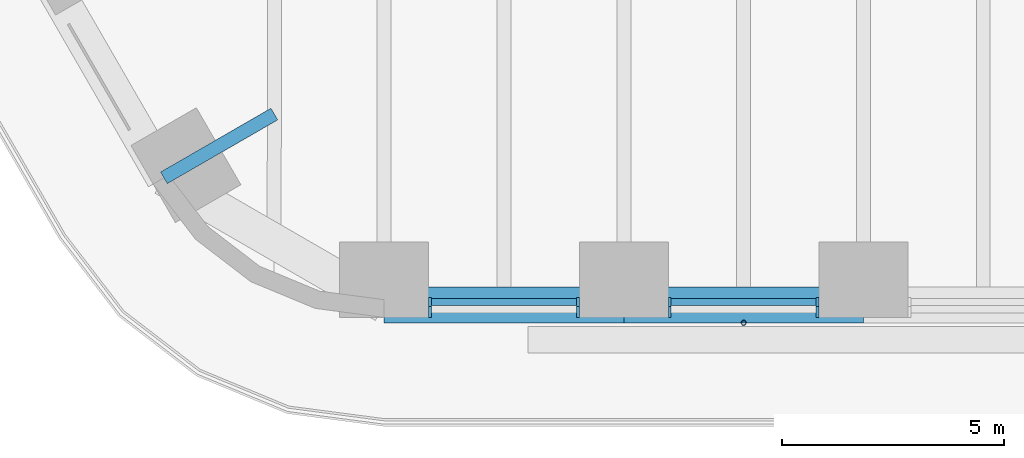
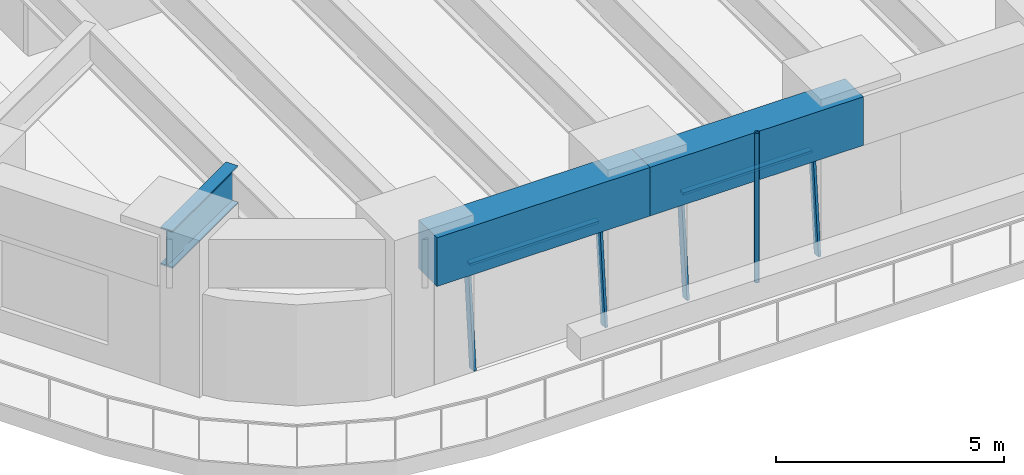
# One storey, part 2 of 24: 7 members, 3 beams, 2 elements without a shape of their own.
"""IFC4 building model written with IfcOpenShell, lengths in metres."""

from ifc_helpers import new_model, si_unit, direction, frame, origin, origin_2d, place, context, subcontext, project, spatial, rectangle, hollow_circle, i_section, extrude, material, material_profile, profile_set, type_object, element, aggregate, save


model = new_model("IFC4")

# Units and contexts
model_context = context("Model", 3, precision=1e-05, world=origin(), true_north=direction((0.0, 1.0)))
body_context = subcontext(model_context, "Body", "Model", "MODEL_VIEW")
ifc_project = project(units=[si_unit("LENGTHUNIT", "METRE"), si_unit("AREAUNIT", "SQUARE_METRE"), si_unit("VOLUMEUNIT", "CUBIC_METRE"), si_unit("PLANEANGLEUNIT", "RADIAN"), si_unit("MASSUNIT", "GRAM", prefix="KILO")], contexts=[model_context])

# Site, building, storey
site_placement = place(None, origin())
site = spatial("IfcSite", under=ifc_project, at=site_placement, CompositionType="ELEMENT")
building_placement = place(site_placement, origin())
building = spatial("IfcBuilding", under=site, at=building_placement, Name="Tarfa Lantern Tower", CompositionType="ELEMENT")
storey_placement = place(building_placement, frame((0.0, 0.0, 73.89990234375)))
storey = spatial("IfcBuildingStorey", under=building, at=storey_placement, Name="L16", CompositionType="ELEMENT", Elevation=73.89990234375)

# Curtain wall, members
ifc_material_1 = material(Name="Aluminium framed curtain wall", Category="aluminium")
curtain_wall_type = type_object("IfcCurtainWallType", Name="CW1 CANTED GLAZING LOW ZONE 2700", PredefinedType="USERDEFINED", material=ifc_material_1)
curtain_wall_1_placement = place(storey_placement, origin())
curtain_wall_1 = element("IfcCurtainWall", 1, at=curtain_wall_1_placement, inside=storey, type_object=curtain_wall_type, Name="CW1 S L16", ObjectType="CURTAIN WALL", PredefinedType="USERDEFINED")
ifc_material_2 = material(Name="Aluminium mullion", Category="aluminium")
ifc_material_profile_1 = material_profile(ifc_material_2, rectangle(XDim=0.06494140625, YDim=0.199951171875, at=origin_2d()), Name="AL MULLION 65x200")
ifc_profile_set_1 = profile_set([ifc_material_profile_1], Name="Aluminium mullion")
member_type_1 = type_object("IfcMemberType", Name="CWM1 MULLION 65x200", PredefinedType="MULLION", material=ifc_profile_set_1)
member_1_placement = place(storey_placement, frame((-15.13330078125, -33.89990234375, 0.0), z_axis=(0.0, 0.092191598296, 0.995741286281), x_axis=(-1.0, 0.0, 0.0)))
member_1 = element("IfcMember", 2, at=member_1_placement, type_object=member_type_1, Name="CW1 mullion 1", PredefinedType="MULLION", context=body_context, shape_type="SweptSolid", body=[
    extrude(rectangle(XDim=0.06494140625, YDim=0.199951171875, at=origin_2d()), origin(), (0.0, 0.0, 1.0), 2.711669921875),
])
member_2_placement = place(storey_placement, frame((-11.809814453125, -33.89990234375, 0.0), z_axis=(0.0, 0.092191598296, 0.995741286281), x_axis=(-1.0, 0.0, 0.0)))
member_2 = element("IfcMember", 3, at=member_2_placement, type_object=member_type_1, Name="CW1 mullion 2", PredefinedType="MULLION", context=body_context, shape_type="SweptSolid", body=[
    extrude(rectangle(XDim=0.06494140625, YDim=0.199951171875, at=origin_2d()), origin(), (0.0, 0.0, 1.0), 2.711669921875),
])

curtain_wall_2_placement = place(storey_placement, origin())
curtain_wall_2 = element("IfcCurtainWall", 4, at=curtain_wall_2_placement, inside=storey, type_object=curtain_wall_type, Name="CW1 S L16", ObjectType="CURTAIN WALL", PredefinedType="USERDEFINED")
member_3_placement = place(storey_placement, frame((-9.74462890625, -33.89990234375, 0.0), z_axis=(0.0, 0.092191598296, 0.995741286281), x_axis=(-1.0, 0.0, 0.0)))
member_3 = element("IfcMember", 5, at=member_3_placement, type_object=member_type_1, Name="CW1 mullion 1", PredefinedType="MULLION", context=body_context, shape_type="SweptSolid", body=[
    extrude(rectangle(XDim=0.06494140625, YDim=0.199951171875, at=origin_2d()), origin(), (0.0, 0.0, 1.0), 2.711669921875),
])
member_4_placement = place(storey_placement, frame((-6.421142578125, -33.89990234375, 0.0), z_axis=(0.0, 0.092191598296, 0.995741286281), x_axis=(-1.0, 0.0, 0.0)))
member_4 = element("IfcMember", 6, at=member_4_placement, type_object=member_type_1, Name="CW1 mullion 2", PredefinedType="MULLION", context=body_context, shape_type="SweptSolid", body=[
    extrude(rectangle(XDim=0.06494140625, YDim=0.199951171875, at=origin_2d()), origin(), (0.0, 0.0, 1.0), 2.711669921875),
])

# Member
ifc_material_3 = material(Name="Aluminium transom", Category="aluminium")
ifc_material_profile_2 = material_profile(ifc_material_3, rectangle(XDim=0.14990234375, YDim=0.06494140625, at=origin_2d()), Name="AL TRANSOM 150x65")
ifc_profile_set_2 = profile_set([ifc_material_profile_2], Name="Aluminium transom")
member_type_2 = type_object("IfcMemberType", Name="CWT1 TRANSOM 150x65", PredefinedType="USERDEFINED", material=ifc_profile_set_2)
member_5_placement = place(storey_placement, frame((-15.100830078125, -33.653076171875, 2.66748046875), z_axis=(1.0, 0.0, 0.0), x_axis=(0.0, 1.0, 0.0)))
member_5 = element("IfcMember", 7, at=member_5_placement, type_object=member_type_2, Name="CW1 transom 1.2", ObjectType="TRANSOM", PredefinedType="USERDEFINED", context=body_context, shape_type="SweptSolid", body=[
    extrude(rectangle(XDim=0.14990234375, YDim=0.06494140625, at=origin_2d()), origin(), (0.0, 0.0, 1.0), 3.258544921875),
])

aggregate(curtain_wall_1, [member_1, member_2, member_5])

member_6_placement = place(storey_placement, frame((-9.712158203125, -33.653076171875, 2.66748046875), z_axis=(1.0, 0.0, 0.0), x_axis=(0.0, 1.0, 0.0)))
member_6 = element("IfcMember", 8, at=member_6_placement, type_object=member_type_2, Name="CW1 transom 1.2", ObjectType="TRANSOM", PredefinedType="USERDEFINED", context=body_context, shape_type="SweptSolid", body=[
    extrude(rectangle(XDim=0.14990234375, YDim=0.06494140625, at=origin_2d()), origin(), (0.0, 0.0, 1.0), 3.258544921875),
])

aggregate(curtain_wall_2, [member_3, member_4, member_6])

# Beams
ifc_material_4 = material(Name="Concrete C80/95", Category="concrete")
ifc_material_profile_3 = material_profile(ifc_material_4, rectangle(XDim=0.800048828125, YDim=1.300048828125, at=origin_2d()), Name="RC 800x1300")
ifc_profile_set_3 = profile_set([ifc_material_profile_3], Name="Concrete C80/95")
beam_type_1 = type_object("IfcBeamType", Name="EB1 RC 800x1300", PredefinedType="SPANDREL", material=ifc_profile_set_3)
beam_1_placement = place(storey_placement, frame((-16.165771484375, -33.719970703125, 3.35009765625), z_axis=(1.0, 0.0, 0.0), x_axis=(0.0, 1.0, 0.0)))
element("IfcBeam", 9, at=beam_1_placement, inside=storey, type_object=beam_type_1, Name="Edge beam S0", PredefinedType="SPANDREL", context=body_context, shape_type="SweptSolid", body=[
    extrude(rectangle(XDim=0.800048828125, YDim=1.300048828125, at=origin_2d()), origin(), (0.0, 0.0, 1.0), 5.388671875),
])
beam_2_placement = place(storey_placement, frame((-10.777099609375, -33.719970703125, 3.35009765625), z_axis=(1.0, 0.0, 0.0), x_axis=(0.0, 1.0, 0.0)))
element("IfcBeam", 10, at=beam_2_placement, inside=storey, type_object=beam_type_1, Name="Edge beam S1", PredefinedType="SPANDREL", context=body_context, shape_type="SweptSolid", body=[
    extrude(rectangle(XDim=0.800048828125, YDim=1.300048828125, at=origin_2d()), origin(), (0.0, 0.0, 1.0), 5.388427734375),
])

# Member
ifc_material_5 = material(Name="Steel S355", Category="steel")
ifc_material_profile_4 = material_profile(ifc_material_5, hollow_circle(Radius=0.05712890625, WallThickness=0.00634765625, at=origin_2d()), Name="CHS114.3x6.3")
ifc_profile_set_4 = profile_set([ifc_material_profile_4], Name="Steel S355")
member_type_3 = type_object("IfcMemberType", Name="TR1 GREEN WALL TRELLIS CHS114.3x6.3", PredefinedType="USERDEFINED", material=ifc_profile_set_4)
member_7_placement = place(storey_placement, frame((-8.0830078125, -34.1201171875, 0.0), z_axis=(0.0, 0.0, 1.0), x_axis=(1.0, 0.0, 0.0)))
element("IfcMember", 11, at=member_7_placement, inside=storey, type_object=member_type_3, Name="Trellis post S 1", ObjectType="TRELLIS", PredefinedType="USERDEFINED", context=body_context, shape_type="SweptSolid", body=[
    extrude(hollow_circle(Radius=0.05712890625, WallThickness=0.00634765625, at=origin_2d()), origin(), (0.0, 0.0, 1.0), 4.0),
])

# Beam
ifc_material_6 = material(Name="Steel S460M", Category="steel")
ifc_material_profile_5 = material_profile(ifc_material_6, i_section(OverallWidth=0.302001953125, OverallDepth=1.008056640625, WebThickness=0.02099609375, FlangeThickness=0.0400390625, FilletRadius=0.030029296875, at=origin_2d()), Name="UB1016x305x349")
ifc_profile_set_5 = profile_set([ifc_material_profile_5], Name="Steel S460M")
beam_type_2 = type_object("IfcBeamType", Name="UB1016x305x349", PredefinedType="BEAM", material=ifc_profile_set_5)
beam_3_placement = place(storey_placement, frame((-21.119384765625, -30.860107421875, 3.49609375), z_axis=(0.866012580594, 0.500022209759, 0.0), x_axis=(-0.500022209759, 0.866012580594, 0.0)))
element("IfcBeam", 12, at=beam_3_placement, inside=storey, type_object=beam_type_2, Name="Floor beam SW6", PredefinedType="BEAM", context=body_context, shape_type="SweptSolid", body=[
    extrude(i_section(OverallWidth=0.302001953125, OverallDepth=1.008056640625, WebThickness=0.02099609375, FlangeThickness=0.0400390625, FilletRadius=0.030029296875, at=origin_2d()), origin(), (0.0, 0.0, 1.0), 2.866943359375),
])

save(model, "model.ifc")
